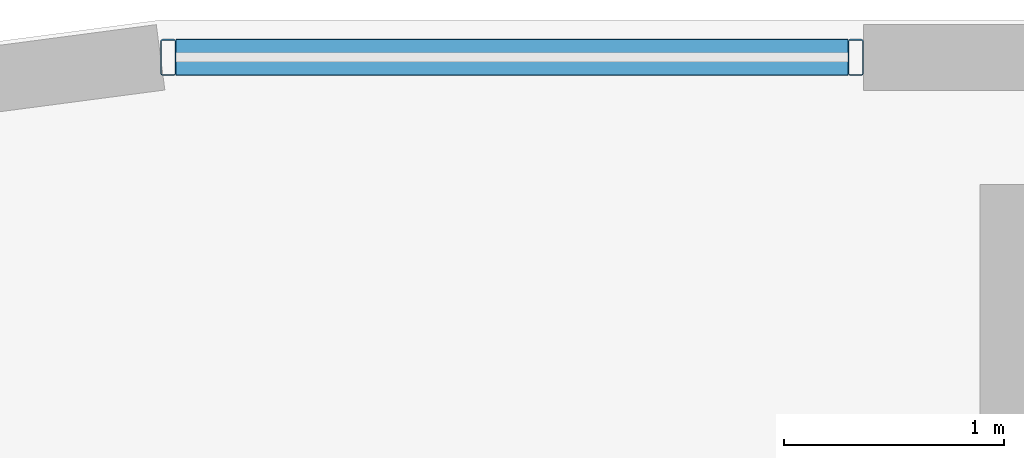
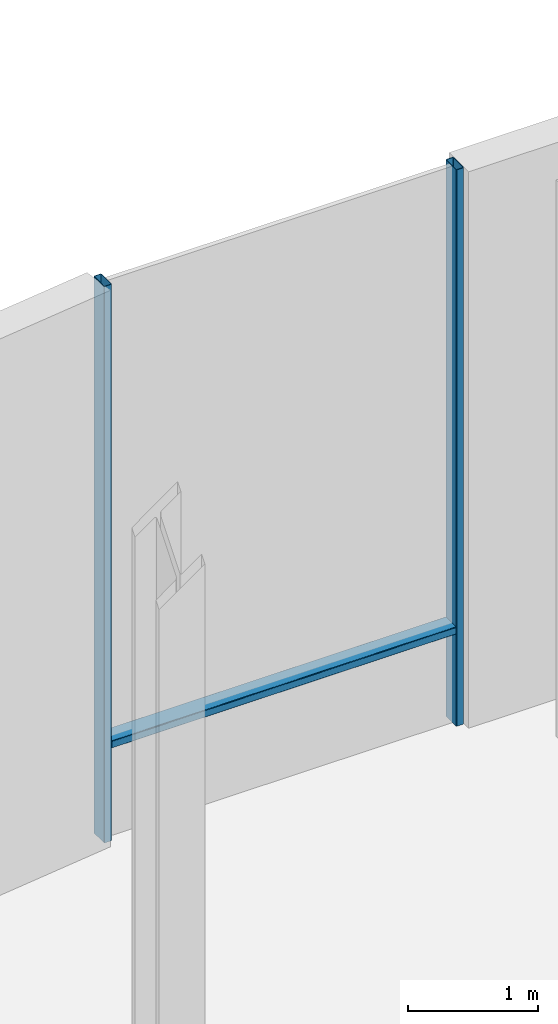
# One storey, part 3 of 17: 3 members, 1 element without a shape of its own.
"""IFC4 building model written with IfcOpenShell, lengths in metres."""

from ifc_helpers import new_model, si_unit, direction, frame, origin, origin_2d, place, context, subcontext, project, spatial, hollow_rectangle, extrude, material, layer, layer_set, material_profile, profile_set, type_object, element, aggregate, save


model = new_model("IFC4")

# Units and contexts
model_context = context("Model", 3, precision=1e-05, world=origin(), true_north=direction((0.0, 1.0)))
body_context = subcontext(model_context, "Body", "Model", "MODEL_VIEW")
ifc_project = project(units=[si_unit("LENGTHUNIT", "METRE"), si_unit("AREAUNIT", "SQUARE_METRE"), si_unit("VOLUMEUNIT", "CUBIC_METRE"), si_unit("PLANEANGLEUNIT", "RADIAN"), si_unit("MASSUNIT", "GRAM", prefix="KILO")], contexts=[model_context])

# Site, building, storey
site_placement = place(None, origin())
site = spatial("IfcSite", under=ifc_project, at=site_placement, CompositionType="ELEMENT")
building_placement = place(site_placement, origin())
building = spatial("IfcBuilding", under=site, at=building_placement, Name="Brevholm Reach", CompositionType="ELEMENT")
storey_placement = place(building_placement, frame((0.0, 0.0, 22.5)))
storey = spatial("IfcBuildingStorey", under=building, at=storey_placement, Name="L05", CompositionType="ELEMENT", Elevation=22.5)

# Curtain wall, members
ifc_material_1 = material(Name="Dark Anodised Aluminium 6063-T6 and Solar-Control Glass", Category="aluminium")
ifc_layer = layer(ifc_material_1, 0.1650390625)
ifc_layer_set = layer_set([ifc_layer], Name="Dark Anodised Aluminium 6063-T6 and Solar-Control Glass")
curtain_wall_type = type_object("IfcCurtainWallType", Name="CW-03", PredefinedType="NOTDEFINED", material=ifc_layer_set)
curtain_wall_placement = place(storey_placement, origin())
curtain_wall = element("IfcCurtainWall", 1, at=curtain_wall_placement, inside=storey, type_object=curtain_wall_type, Name="L05 Curtain Wall CW-03", PredefinedType="NOTDEFINED")
ifc_material_2 = material(Name="Dark Anodised Aluminium 6063-T6", Category="aluminium")
ifc_material_profile_1 = material_profile(ifc_material_2, hollow_rectangle(XDim=0.070068359375, YDim=0.1650390625, WallThickness=0.0048828125, InnerFilletRadius=0.0048828125, OuterFilletRadius=0.010009765625, at=origin_2d()), Name="RHS 165x70x5")
ifc_profile_set_1 = profile_set([ifc_material_profile_1], Name="Dark Anodised Aluminium 6063-T6")
member_type_1 = type_object("IfcMemberType", Name="CWM-165", PredefinedType="MULLION", material=ifc_profile_set_1)
member_1_placement = place(storey_placement, frame((3.93505859375, 39.830078125, 0.0), z_axis=(0.0, 0.0, 1.0), x_axis=(1.0, 0.0, 0.0)))
member_1 = element("IfcMember", 2, at=member_1_placement, type_object=member_type_1, Name="CM-165 Mullion 1", PredefinedType="MULLION", context=body_context, shape_type="SweptSolid", body=[
    extrude(hollow_rectangle(XDim=0.070068359375, YDim=0.1650390625, WallThickness=0.0048828125, InnerFilletRadius=0.0048828125, OuterFilletRadius=0.010009765625, at=origin_2d()), origin(), (0.0, 0.0, 1.0), 5.22998046875),
])
member_2_placement = place(storey_placement, frame((7.06494140625, 39.830078125, 0.0), z_axis=(0.0, 0.0, 1.0), x_axis=(1.0, 0.0, 0.0)))
member_2 = element("IfcMember", 3, at=member_2_placement, type_object=member_type_1, Name="CM-165 Mullion 2", PredefinedType="MULLION", context=body_context, shape_type="SweptSolid", body=[
    extrude(hollow_rectangle(XDim=0.070068359375, YDim=0.1650390625, WallThickness=0.0048828125, InnerFilletRadius=0.0048828125, OuterFilletRadius=0.010009765625, at=origin_2d()), origin(), (0.0, 0.0, 1.0), 5.22998046875),
])
ifc_material_3 = material(Name="Dark Anodised Aluminium 6063-T6", Category="aluminium")
ifc_material_profile_2 = material_profile(ifc_material_3, hollow_rectangle(XDim=0.070068359375, YDim=0.1650390625, WallThickness=0.0048828125, InnerFilletRadius=0.0048828125, OuterFilletRadius=0.010009765625, at=origin_2d()), Name="RHS 165x70x5")
ifc_profile_set_2 = profile_set([ifc_material_profile_2], Name="Dark Anodised Aluminium 6063-T6")
member_type_2 = type_object("IfcMemberType", Name="CWT-165", PredefinedType="NOTDEFINED", material=ifc_profile_set_2)
member_3_placement = place(storey_placement, frame((3.969970703125, 39.830078125, 0.89990234375), z_axis=(1.0, 0.0, 0.0), x_axis=(0.0, 0.0, 1.0)))
member_3 = element("IfcMember", 4, at=member_3_placement, type_object=member_type_2, Name="CT-165 Transom 1.1", ObjectType="TRANSOM", PredefinedType="USERDEFINED", context=body_context, shape_type="SweptSolid", body=[
    extrude(hollow_rectangle(XDim=0.070068359375, YDim=0.1650390625, WallThickness=0.0048828125, InnerFilletRadius=0.0048828125, OuterFilletRadius=0.010009765625, at=origin_2d()), origin(), (0.0, 0.0, 1.0), 3.06005859375),
])
aggregate(curtain_wall, [member_1, member_2, member_3])

save(model, "model.ifc")
